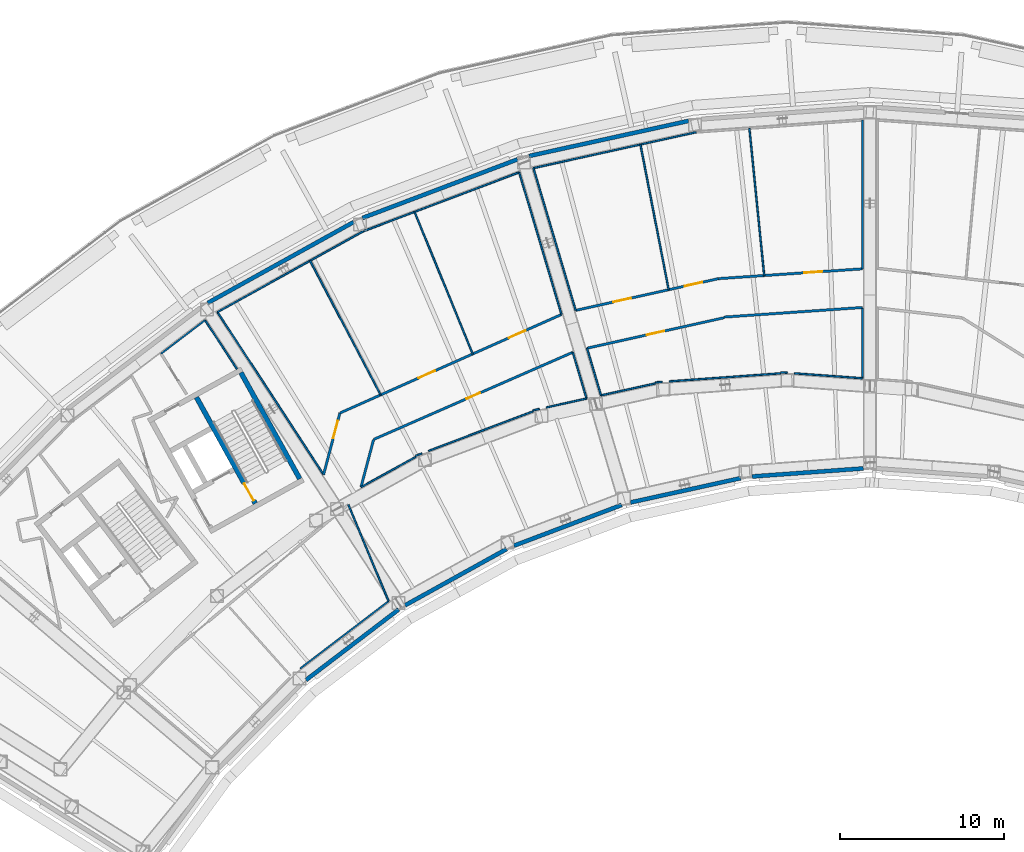
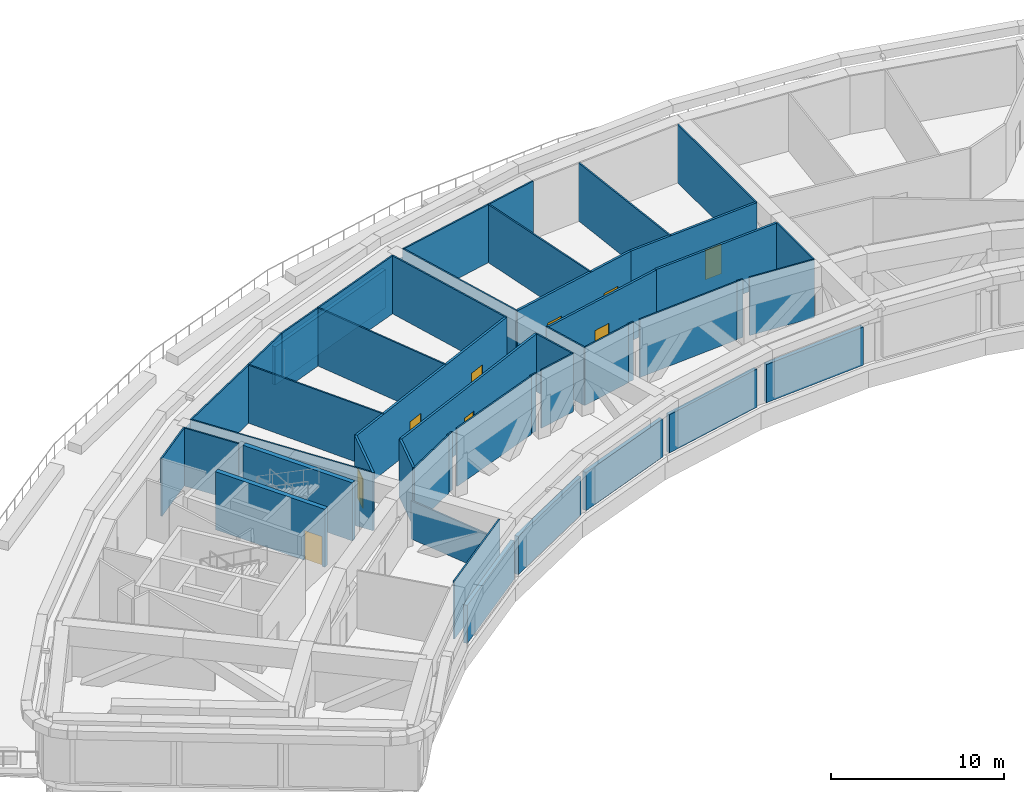
# One storey, part 8 of 24: 46 walls, 9 doors, 9 openings.
"""IFC4 building model written with IfcOpenShell, lengths in metres."""

from ifc_helpers import new_model, si_unit, direction, frame, frame_2d, origin, place, context, subcontext, project, spatial, rectangle, extrude, material, layer, layer_set, type_object, element, fill, save


model = new_model("IFC4")

# Units and contexts
model_context = context("Model", 3, precision=1e-05, world=origin(), true_north=direction((0.0, 1.0)))
body_context = subcontext(model_context, "Body", "Model", "MODEL_VIEW")
ifc_project = project(units=[si_unit("LENGTHUNIT", "METRE"), si_unit("AREAUNIT", "SQUARE_METRE"), si_unit("VOLUMEUNIT", "CUBIC_METRE"), si_unit("PLANEANGLEUNIT", "RADIAN"), si_unit("MASSUNIT", "GRAM", prefix="KILO")], contexts=[model_context])

# Site, building, storey
site_placement = place(None, origin())
site = spatial("IfcSite", under=ifc_project, at=site_placement, CompositionType="ELEMENT")
building_placement = place(site_placement, origin())
building = spatial("IfcBuilding", under=site, at=building_placement, Name="Tuul Gate Civic Tower", CompositionType="ELEMENT")
storey_placement = place(building_placement, frame((0.0, 0.0, 94.800048828125)))
storey = spatial("IfcBuildingStorey", under=building, at=storey_placement, Name="Plant and refuge floor 3", CompositionType="ELEMENT", Elevation=94.800048828125)

# Wall
ifc_material_1 = material(Name="Concrete C50/60", Category="concrete")
ifc_layer_1 = layer(ifc_material_1, 0.300048828125)
ifc_layer_set_1 = layer_set([ifc_layer_1], Name="Concrete C50/60")
wall_type_1 = type_object("IfcWallType", Name="Core wall C50/60", PredefinedType="SHEAR", material=ifc_layer_set_1)
wall_1_placement = place(storey_placement, frame((-24.91552734375, -8.6572265625, 0.0), z_axis=(0.0, 0.0, 1.0), x_axis=(-0.484777133038, 0.874637714304, 0.0)))
element("IfcWall", 1, at=wall_1_placement, inside=storey, type_object=wall_type_1, Name="Core wall", PredefinedType="SHEAR", context=body_context, shape_type="SweptSolid", body=[
    extrude(rectangle(XDim=7.400146484375, YDim=0.300048828125, at=frame_2d((3.7001953125, 0.0))), origin(), (0.0, 0.0, 1.0), 4.099853515625),
])

# Wall, opening, door
wall_2_placement = place(storey_placement, frame((-27.626953125, -10.16015625, 0.0), z_axis=(0.0, 0.0, 1.0), x_axis=(-0.484751894226, 0.874651702704, 0.0)))
wall_2 = element("IfcWall", 2, at=wall_2_placement, inside=storey, type_object=wall_type_1, Name="Core wall", PredefinedType="SHEAR", context=body_context, shape_type="SweptSolid", body=[
    extrude(rectangle(XDim=7.39990234375, YDim=0.300048828125, at=frame_2d((3.699951171875, 0.0))), origin(), (0.0, 0.0, 1.0), 4.099853515625),
])
opening_1_placement = place(wall_2_placement, frame((0.199951171875, 0.0, 0.0)))
opening_1 = element("IfcOpeningElement", 3, at=opening_1_placement, cuts=wall_2, Name="Opening SD-ST-2", PredefinedType="OPENING", context=body_context, shape_type="SweptSolid", body=[
    extrude(rectangle(XDim=1.199951171875, YDim=2.10009765625, at=frame_2d((0.60009765625, 1.050048828125))), frame((0.0, 0.16015625, 0.0), z_axis=(0.0, -1.0, 0.0), x_axis=(1.0, 0.0, 0.0)), (0.0, 0.0, 1.0), 0.320068359375),
])
ifc_material_2 = material(Name="Steel", Category="steel")
door_type_1 = type_object("IfcDoorType", Name="Stair door", OperationType="NOTDEFINED", PredefinedType="DOOR", material=ifc_material_2)
door_1_placement = place(opening_1_placement, origin())
door_1 = element("IfcDoor", 4, at=door_1_placement, inside=storey, type_object=door_type_1, Name="Stair door ST-2", OperationType="SINGLE_SWING_LEFT", OverallHeight=2.10009765625, OverallWidth=1.199951171875, PredefinedType="DOOR", context=body_context, shape_type="SweptSolid", body=[
    extrude(rectangle(XDim=1.199951171875, YDim=2.10009765625, at=frame_2d((0.60009765625, 1.050048828125))), frame((0.0, 0.02490234375, 0.0), z_axis=(0.0, -1.0, 0.0), x_axis=(1.0, 0.0, 0.0)), (0.0, 0.0, 1.0), 0.050048828125),
])
fill(opening_1, door_1)

# Wall
ifc_material_3 = material(Name="Gypsum board partition")
ifc_layer_2 = layer(ifc_material_3, 0.14990234375)
ifc_layer_set_2 = layer_set([ifc_layer_2], Name="Gypsum board partition")
wall_type_2 = type_object("IfcWallType", Name="Corridor wall P150", PredefinedType="PARTITIONING", material=ifc_layer_set_2)
wall_3_placement = place(storey_placement, frame((0.935302734375, 1.2001953125, 0.0), z_axis=(0.0, 0.0, 1.0), x_axis=(0.997602929877, 0.069198224693, 0.0)))
element("IfcWall", 5, at=wall_3_placement, inside=storey, type_object=wall_type_2, Name="p025", PredefinedType="PARTITIONING", context=body_context, shape_type="SweptSolid", body=[
    extrude(rectangle(XDim=8.46044921875, YDim=0.14990234375, at=frame_2d((4.230224609375, 0.0))), origin(), (0.0, 0.0, 1.0), 4.099853515625),
])

# Wall, opening, door
wall_4_placement = place(storey_placement, frame((-7.41162109375, -0.697509765625, 0.0), z_axis=(0.0, 0.0, 1.0), x_axis=(0.976106370709, 0.217293242097, 0.0)))
wall_4 = element("IfcWall", 6, at=wall_4_placement, inside=storey, type_object=wall_type_2, Name="p030", PredefinedType="PARTITIONING", context=body_context, shape_type="SweptSolid", body=[
    extrude(rectangle(XDim=8.55029296875, YDim=0.14990234375, at=frame_2d((4.275146484375, 0.0))), origin(), (0.0, 0.0, 1.0), 4.099853515625),
])
opening_2_placement = place(wall_4_placement, frame((3.72509765625, 0.0, 0.0)))
opening_2 = element("IfcOpeningElement", 7, at=opening_2_placement, cuts=wall_4, Name="Opening PA-D12", PredefinedType="OPENING", context=body_context, shape_type="SweptSolid", body=[
    extrude(rectangle(XDim=1.10009765625, YDim=2.10009765625, at=frame_2d((0.550048828125, 1.050048828125))), frame((0.0, 0.0849609375, 0.0), z_axis=(0.0, -1.0, 0.0), x_axis=(1.0, 0.0, 0.0)), (0.0, 0.0, 1.0), 0.169921875),
])
ifc_material_4 = material(Name="Timber door leaf", Category="wood")
door_type_2 = type_object("IfcDoorType", Name="Door D11", OperationType="NOTDEFINED", PredefinedType="DOOR", material=ifc_material_4)
door_2_placement = place(opening_2_placement, frame((1.10009765625, 0.0, 0.0), z_axis=(0.0, 0.0, 1.0), x_axis=(-1.0, 0.0, 0.0)))
door_2 = element("IfcDoor", 8, at=door_2_placement, inside=storey, type_object=door_type_2, Name="Door PA-D12", OperationType="SINGLE_SWING_LEFT", OverallHeight=2.10009765625, OverallWidth=1.10009765625, PredefinedType="DOOR", context=body_context, shape_type="SweptSolid", body=[
    extrude(rectangle(XDim=1.10009765625, YDim=2.10009765625, at=frame_2d((0.550048828125, 1.050048828125))), frame((0.0, 0.02490234375, 0.0), z_axis=(0.0, -1.0, 0.0), x_axis=(1.0, 0.0, 0.0)), (0.0, 0.0, 1.0), 0.050048828125),
])
fill(opening_2, door_2)

wall_5_placement = place(storey_placement, frame((0.592529296875, 3.54296875, 0.0), z_axis=(0.0, 0.0, 1.0), x_axis=(0.997685188998, 0.068001938609, 0.0)))
wall_5 = element("IfcWall", 9, at=wall_5_placement, inside=storey, type_object=wall_type_2, Name="p032", PredefinedType="PARTITIONING", context=body_context, shape_type="SweptSolid", body=[
    extrude(rectangle(XDim=8.806884765625, YDim=0.14990234375, at=frame_2d((4.4033203125, 0.0))), origin(), (0.0, 0.0, 1.0), 4.099853515625),
])
opening_3_placement = place(wall_5_placement, frame((5.25537109375, 0.0, 0.0)))
opening_3 = element("IfcOpeningElement", 10, at=opening_3_placement, cuts=wall_5, Name="Opening PA-D13", PredefinedType="OPENING", context=body_context, shape_type="SweptSolid", body=[
    extrude(rectangle(XDim=1.10009765625, YDim=2.10009765625, at=frame_2d((0.550048828125, 1.050048828125))), frame((0.0, 0.0849609375, 0.0), z_axis=(0.0, -1.0, 0.0), x_axis=(1.0, 0.0, 0.0)), (0.0, 0.0, 1.0), 0.169921875),
])
door_3_placement = place(opening_3_placement, origin())
door_3 = element("IfcDoor", 11, at=door_3_placement, inside=storey, type_object=door_type_2, Name="Door PA-D13", OperationType="SINGLE_SWING_RIGHT", OverallHeight=2.10009765625, OverallWidth=1.10009765625, PredefinedType="DOOR", context=body_context, shape_type="SweptSolid", body=[
    extrude(rectangle(XDim=1.10009765625, YDim=2.10009765625, at=frame_2d((0.550048828125, 1.050048828125))), frame((0.0, 0.02490234375, 0.0), z_axis=(0.0, -1.0, 0.0), x_axis=(1.0, 0.0, 0.0)), (0.0, 0.0, 1.0), 0.050048828125),
])
fill(opening_3, door_3)

# Wall, openings, doors
wall_6_placement = place(storey_placement, frame((-8.097900390625, 1.6083984375, 0.0), z_axis=(0.0, 0.0, 1.0), x_axis=(0.976106329019, 0.217293429373, 0.0)))
wall_6 = element("IfcWall", 12, at=wall_6_placement, inside=storey, type_object=wall_type_2, Name="p034", PredefinedType="PARTITIONING", context=body_context, shape_type="SweptSolid", body=[
    extrude(rectangle(XDim=8.90185546875, YDim=0.14990234375, at=frame_2d((4.450927734375, 0.0))), origin(), (0.0, 0.0, 1.0), 4.099853515625),
])
opening_4_placement = place(wall_6_placement, frame((6.802734375, 0.0, 0.0)))
opening_4 = element("IfcOpeningElement", 13, at=opening_4_placement, cuts=wall_6, Name="Opening PA-D141", PredefinedType="OPENING", context=body_context, shape_type="SweptSolid", body=[
    extrude(rectangle(XDim=1.10009765625, YDim=2.10009765625, at=frame_2d((0.550048828125, 1.050048828125))), frame((0.0, 0.0849609375, 0.0), z_axis=(0.0, -1.0, 0.0), x_axis=(1.0, 0.0, 0.0)), (0.0, 0.0, 1.0), 0.169921875),
])
opening_5_placement = place(wall_6_placement, frame((2.351806640625, 0.0, 0.0)))
opening_5 = element("IfcOpeningElement", 14, at=opening_5_placement, cuts=wall_6, Name="Opening PA-D15", PredefinedType="OPENING", context=body_context, shape_type="SweptSolid", body=[
    extrude(rectangle(XDim=1.10009765625, YDim=2.10009765625, at=frame_2d((0.550048828125, 1.050048828125))), frame((0.0, 0.0849609375, 0.0), z_axis=(0.0, -1.0, 0.0), x_axis=(1.0, 0.0, 0.0)), (0.0, 0.0, 1.0), 0.169921875),
])
door_4_placement = place(opening_4_placement, origin())
door_4 = element("IfcDoor", 15, at=door_4_placement, inside=storey, type_object=door_type_2, Name="Door PA-D14", OperationType="SINGLE_SWING_LEFT", OverallHeight=2.10009765625, OverallWidth=1.10009765625, PredefinedType="DOOR", context=body_context, shape_type="SweptSolid", body=[
    extrude(rectangle(XDim=1.10009765625, YDim=2.10009765625, at=frame_2d((0.550048828125, 1.050048828125))), frame((0.0, 0.02490234375, 0.0), z_axis=(0.0, -1.0, 0.0), x_axis=(1.0, 0.0, 0.0)), (0.0, 0.0, 1.0), 0.050048828125),
])
fill(opening_4, door_4)
door_5_placement = place(opening_5_placement, origin())
door_5 = element("IfcDoor", 16, at=door_5_placement, inside=storey, type_object=door_type_2, Name="Door PA-D15", OperationType="SINGLE_SWING_RIGHT", OverallHeight=2.10009765625, OverallWidth=1.10009765625, PredefinedType="DOOR", context=body_context, shape_type="SweptSolid", body=[
    extrude(rectangle(XDim=1.10009765625, YDim=2.10009765625, at=frame_2d((0.550048828125, 1.050048828125))), frame((0.0, 0.02490234375, 0.0), z_axis=(0.0, -1.0, 0.0), x_axis=(1.0, 0.0, 0.0)), (0.0, 0.0, 1.0), 0.050048828125),
])
fill(opening_5, door_5)

# Wall, opening, door
wall_7_placement = place(storey_placement, frame((-20.40478515625, -6.25146484375, 0.0), z_axis=(0.0, 0.0, 1.0), x_axis=(0.916098914728, 0.400952339355, 0.0)))
wall_7 = element("IfcWall", 17, at=wall_7_placement, inside=storey, type_object=wall_type_2, Name="p035", PredefinedType="PARTITIONING", context=body_context, shape_type="SweptSolid", body=[
    extrude(rectangle(XDim=13.238037109375, YDim=0.14990234375, at=frame_2d((6.619140625, 0.0))), origin(), (0.0, 0.0, 1.0), 4.099853515625),
])
opening_6_placement = place(wall_7_placement, frame((6.169189453125, 0.0, 0.0)))
opening_6 = element("IfcOpeningElement", 18, at=opening_6_placement, cuts=wall_7, Name="Opening PA-D161", PredefinedType="OPENING", context=body_context, shape_type="SweptSolid", body=[
    extrude(rectangle(XDim=0.89990234375, YDim=2.10009765625, at=frame_2d((0.449951171875, 1.050048828125))), frame((0.0, 0.0849609375, 0.0), z_axis=(0.0, -1.0, 0.0), x_axis=(1.0, 0.0, 0.0)), (0.0, 0.0, 1.0), 0.169921875),
])
ifc_material_5 = material(Name="Timber door leaf", Category="wood")
door_type_3 = type_object("IfcDoorType", Name="Door D09", OperationType="NOTDEFINED", PredefinedType="DOOR", material=ifc_material_5)
door_6_placement = place(opening_6_placement, frame((0.89990234375, 0.0, 0.0), z_axis=(0.0, 0.0, 1.0), x_axis=(-1.0, 0.0, 0.0)))
door_6 = element("IfcDoor", 19, at=door_6_placement, inside=storey, type_object=door_type_3, Name="Door PA-D16", OperationType="SINGLE_SWING_LEFT", OverallHeight=2.10009765625, OverallWidth=0.89990234375, PredefinedType="DOOR", context=body_context, shape_type="SweptSolid", body=[
    extrude(rectangle(XDim=0.89990234375, YDim=2.10009765625, at=frame_2d((0.449951171875, 1.050048828125))), frame((0.0, 0.02490234375, 0.0), z_axis=(0.0, -1.0, 0.0), x_axis=(1.0, 0.0, 0.0)), (0.0, 0.0, 1.0), 0.050048828125),
])
fill(opening_6, door_6)

# Wall
wall_8_placement = place(storey_placement, frame((-21.186279296875, -9.168701171875, 0.0), z_axis=(0.0, 0.0, 1.0), x_axis=(0.256205327084, 0.966622382512, 0.0)))
element("IfcWall", 20, at=wall_8_placement, inside=storey, type_object=wall_type_2, Name="p036", PredefinedType="PARTITIONING", context=body_context, shape_type="SweptSolid", body=[
    extrude(rectangle(XDim=3.003662109375, YDim=0.14990234375, at=frame_2d((1.501953125, 0.0))), origin(), (0.0, 0.0, 1.0), 4.099853515625),
])

# Wall, openings, doors
wall_9_placement = place(storey_placement, frame((-22.469970703125, -4.64697265625, 0.0), z_axis=(0.0, 0.0, 1.0), x_axis=(0.913676651574, 0.406441848693, 0.0)))
wall_9 = element("IfcWall", 21, at=wall_9_placement, inside=storey, type_object=wall_type_2, Name="p038", PredefinedType="PARTITIONING", context=body_context, shape_type="SweptSolid", body=[
    extrude(rectangle(XDim=14.78271484375, YDim=0.14990234375, at=frame_2d((7.391357421875, 0.0))), origin(), (0.0, 0.0, 1.0), 4.099853515625),
])
opening_7_placement = place(wall_9_placement, frame((11.2705078125, 0.0, 0.0)))
opening_7 = element("IfcOpeningElement", 22, at=opening_7_placement, cuts=wall_9, Name="Opening PA-D17", PredefinedType="OPENING", context=body_context, shape_type="SweptSolid", body=[
    extrude(rectangle(XDim=1.10009765625, YDim=2.10009765625, at=frame_2d((0.550048828125, 1.050048828125))), frame((0.0, 0.0849609375, 0.0), z_axis=(0.0, -1.0, 0.0), x_axis=(1.0, 0.0, 0.0)), (0.0, 0.0, 1.0), 0.169921875),
])
opening_8_placement = place(wall_9_placement, frame((5.238037109375, 0.0, 0.0)))
opening_8 = element("IfcOpeningElement", 23, at=opening_8_placement, cuts=wall_9, Name="Opening PA-D18", PredefinedType="OPENING", context=body_context, shape_type="SweptSolid", body=[
    extrude(rectangle(XDim=1.10009765625, YDim=2.10009765625, at=frame_2d((0.550048828125, 1.050048828125))), frame((0.0, 0.0849609375, 0.0), z_axis=(0.0, -1.0, 0.0), x_axis=(1.0, 0.0, 0.0)), (0.0, 0.0, 1.0), 0.169921875),
])
door_7_placement = place(opening_7_placement, origin())
door_7 = element("IfcDoor", 24, at=door_7_placement, inside=storey, type_object=door_type_2, Name="Door PA-D17", OperationType="SINGLE_SWING_RIGHT", OverallHeight=2.10009765625, OverallWidth=1.10009765625, PredefinedType="DOOR", context=body_context, shape_type="SweptSolid", body=[
    extrude(rectangle(XDim=1.10009765625, YDim=2.10009765625, at=frame_2d((0.550048828125, 1.050048828125))), frame((0.0, 0.02490234375, 0.0), z_axis=(0.0, -1.0, 0.0), x_axis=(1.0, 0.0, 0.0)), (0.0, 0.0, 1.0), 0.050048828125),
])
fill(opening_7, door_7)
door_8_placement = place(opening_8_placement, origin())
door_8 = element("IfcDoor", 25, at=door_8_placement, inside=storey, type_object=door_type_2, Name="Door PA-D18", OperationType="SINGLE_SWING_RIGHT", OverallHeight=2.10009765625, OverallWidth=1.10009765625, PredefinedType="DOOR", context=body_context, shape_type="SweptSolid", body=[
    extrude(rectangle(XDim=1.10009765625, YDim=2.10009765625, at=frame_2d((0.550048828125, 1.050048828125))), frame((0.0, 0.02490234375, 0.0), z_axis=(0.0, -1.0, 0.0), x_axis=(1.0, 0.0, 0.0)), (0.0, 0.0, 1.0), 0.050048828125),
])
fill(opening_8, door_8)

# Wall, opening, door
wall_10_placement = place(storey_placement, frame((-23.46533203125, -8.39990234375, 0.0), z_axis=(0.0, 0.0, 1.0), x_axis=(0.256186448691, 0.966627386074, 0.0)))
wall_10 = element("IfcWall", 26, at=wall_10_placement, inside=storey, type_object=wall_type_2, Name="p040", PredefinedType="PARTITIONING", context=body_context, shape_type="SweptSolid", body=[
    extrude(rectangle(XDim=3.881591796875, YDim=0.14990234375, at=frame_2d((1.94091796875, 0.0))), origin(), (0.0, 0.0, 1.0), 4.099853515625),
])
opening_9_placement = place(wall_10_placement, frame((2.291015625, 0.0, 0.0)))
opening_9 = element("IfcOpeningElement", 27, at=opening_9_placement, cuts=wall_10, Name="Opening PA-D19", PredefinedType="OPENING", context=body_context, shape_type="SweptSolid", body=[
    extrude(rectangle(XDim=1.10009765625, YDim=2.10009765625, at=frame_2d((0.550048828125, 1.050048828125))), frame((0.0, 0.0849609375, 0.0), z_axis=(0.0, -1.0, 0.0), x_axis=(1.0, 0.0, 0.0)), (0.0, 0.0, 1.0), 0.169921875),
])
door_9_placement = place(opening_9_placement, origin())
door_9 = element("IfcDoor", 28, at=door_9_placement, inside=storey, type_object=door_type_2, Name="Door PA-D19", OperationType="SINGLE_SWING_RIGHT", OverallHeight=2.10009765625, OverallWidth=1.10009765625, PredefinedType="DOOR", context=body_context, shape_type="SweptSolid", body=[
    extrude(rectangle(XDim=1.10009765625, YDim=2.10009765625, at=frame_2d((0.550048828125, 1.050048828125))), frame((0.0, 0.02490234375, 0.0), z_axis=(0.0, -1.0, 0.0), x_axis=(1.0, 0.0, 0.0)), (0.0, 0.0, 1.0), 0.050048828125),
])
fill(opening_9, door_9)

# Walls
ifc_material_6 = material(Name="Precast concrete C40/50", Category="concrete")
ifc_layer_3 = layer(ifc_material_6, 0.25)
ifc_layer_set_3 = layer_set([ifc_layer_3], Name="Precast concrete C40/50")
wall_type_3 = type_object("IfcWallType", Name="External wall 2700 HIGH", PredefinedType="STANDARD", material=ifc_layer_set_3)
wall_11_placement = place(storey_placement, frame((-1.220947265625, 13.1591796875, 0.0), z_axis=(0.0, 0.0, 1.0), x_axis=(-0.976564201173, -0.215226301803, 0.0)))
element("IfcWall", 29, at=wall_11_placement, inside=storey, type_object=wall_type_3, Name="External wall", PredefinedType="STANDARD", context=body_context, shape_type="SweptSolid", body=[
    extrude(rectangle(XDim=9.95263671875, YDim=0.25, at=frame_2d((4.976318359375, 0.0))), origin(), (0.0, 0.0, 1.0), 2.699951171875),
])
wall_12_placement = place(storey_placement, frame((-11.64794921875, 10.8125, 0.0), z_axis=(0.0, 0.0, 1.0), x_axis=(-0.935389335869, -0.35361955594, 0.0)))
element("IfcWall", 30, at=wall_12_placement, inside=storey, type_object=wall_type_3, Name="External wall", PredefinedType="STANDARD", context=body_context, shape_type="SweptSolid", body=[
    extrude(rectangle(XDim=10.102783203125, YDim=0.25, at=frame_2d((5.05126953125, 0.0))), origin(), (0.0, 0.0, 1.0), 2.699951171875),
])
wall_13_placement = place(storey_placement, frame((-21.635009765625, 6.99072265625, 0.0), z_axis=(0.0, 0.0, 1.0), x_axis=(-0.874604551877, -0.484836960055, 0.0)))
element("IfcWall", 31, at=wall_13_placement, inside=storey, type_object=wall_type_3, Name="External wall", PredefinedType="STANDARD", context=body_context, shape_type="SweptSolid", body=[
    extrude(rectangle(XDim=10.16162109375, YDim=0.25, at=frame_2d((5.080810546875, 0.0))), origin(), (0.0, 0.0, 1.0), 2.699951171875),
])
wall_14_placement = place(storey_placement, frame((-24.5380859375, -20.9208984375, 0.0), z_axis=(0.0, 0.0, 1.0), x_axis=(0.795585563535, 0.605841242484, 0.0)))
element("IfcWall", 32, at=wall_14_placement, inside=storey, type_object=wall_type_3, Name="External wall", PredefinedType="STANDARD", context=body_context, shape_type="SweptSolid", body=[
    extrude(rectangle(XDim=7.1025390625, YDim=0.25, at=frame_2d((3.55126953125, 0.0))), origin(), (0.0, 0.0, 1.0), 2.699951171875),
])
wall_15_placement = place(storey_placement, frame((-18.498046875, -16.3671875, 0.0), z_axis=(0.0, 0.0, 1.0), x_axis=(0.874628863521, 0.484793101328, 0.0)))
element("IfcWall", 33, at=wall_15_placement, inside=storey, type_object=wall_type_3, Name="External wall", PredefinedType="STANDARD", context=body_context, shape_type="SweptSolid", body=[
    extrude(rectangle(XDim=7.075439453125, YDim=0.25, at=frame_2d((3.53759765625, 0.0))), origin(), (0.0, 0.0, 1.0), 2.699951171875),
])
wall_16_placement = place(storey_placement, frame((-11.85791015625, -12.73291015625, 0.0), z_axis=(0.0, 0.0, 1.0), x_axis=(0.935361585046, 0.353692953309, 0.0)))
element("IfcWall", 34, at=wall_16_placement, inside=storey, type_object=wall_type_3, Name="External wall", PredefinedType="STANDARD", context=body_context, shape_type="SweptSolid", body=[
    extrude(rectangle(XDim=7.014404296875, YDim=0.25, at=frame_2d((3.50732421875, 0.0))), origin(), (0.0, 0.0, 1.0), 2.699951171875),
])
wall_17_placement = place(storey_placement, frame((-4.757080078125, -10.09619140625, 0.0), z_axis=(0.0, 0.0, 1.0), x_axis=(0.976561146318, 0.215240162382, 0.0)))
element("IfcWall", 35, at=wall_17_placement, inside=storey, type_object=wall_type_3, Name="External wall", PredefinedType="STANDARD", context=body_context, shape_type="SweptSolid", body=[
    extrude(rectangle(XDim=6.867919921875, YDim=0.25, at=frame_2d((3.43408203125, 0.0))), origin(), (0.0, 0.0, 1.0), 2.699951171875),
])
wall_18_placement = place(storey_placement, frame((2.656982421875, -8.514404296875, 0.0), z_axis=(0.0, 0.0, 1.0), x_axis=(0.997395153804, 0.072131180277, 0.0)))
element("IfcWall", 36, at=wall_18_placement, inside=storey, type_object=wall_type_3, Name="External wall", PredefinedType="STANDARD", context=body_context, shape_type="SweptSolid", body=[
    extrude(rectangle(XDim=6.78955078125, YDim=0.25, at=frame_2d((3.394775390625, 0.0))), origin(), (0.0, 0.0, 1.0), 2.699951171875),
])
ifc_material_7 = material(Name="Gypsum board partition")
ifc_layer_4 = layer(ifc_material_7, 0.10009765625)
ifc_layer_set_4 = layer_set([ifc_layer_4], Name="Gypsum board partition")
wall_type_4 = type_object("IfcWallType", Name="Partition P100", PredefinedType="PARTITIONING", material=ifc_layer_set_4)
wall_19_placement = place(storey_placement, frame((2.486572265625, 12.703369140625, 0.0), z_axis=(0.0, 0.0, 1.0), x_axis=(0.100200837165, -0.994967231738, 0.0)))
element("IfcWall", 37, at=wall_19_placement, inside=storey, type_object=wall_type_4, Name="p031", PredefinedType="PARTITIONING", context=body_context, shape_type="SweptSolid", body=[
    extrude(rectangle(XDim=9.01513671875, YDim=0.10009765625, at=frame_2d((4.507568359375, 0.0))), origin(), (0.0, 0.0, 1.0), 4.099853515625),
])
wall_20_placement = place(storey_placement, frame((-4.1533203125, 11.7197265625, 0.0), z_axis=(0.0, 0.0, 1.0), x_axis=(0.190796455508, -0.981629620868, 0.0)))
element("IfcWall", 38, at=wall_20_placement, inside=storey, type_object=wall_type_4, Name="p033", PredefinedType="PARTITIONING", context=body_context, shape_type="SweptSolid", body=[
    extrude(rectangle(XDim=9.015869140625, YDim=0.10009765625, at=frame_2d((4.5078125, 0.0))), origin(), (0.0, 0.0, 1.0), 4.099853515625),
])
wall_21_placement = place(storey_placement, frame((-17.919189453125, 7.61279296875, 0.0), z_axis=(0.0, 0.0, 1.0), x_axis=(0.378654182894, -0.925538227075, 0.0)))
element("IfcWall", 39, at=wall_21_placement, inside=storey, type_object=wall_type_4, Name="p037", PredefinedType="PARTITIONING", context=body_context, shape_type="SweptSolid", body=[
    extrude(rectangle(XDim=9.356201171875, YDim=0.10009765625, at=frame_2d((4.67822265625, 0.0))), origin(), (0.0, 0.0, 1.0), 4.099853515625),
])
wall_22_placement = place(storey_placement, frame((-24.2880859375, 4.63330078125, 0.0), z_axis=(0.0, 0.0, 1.0), x_axis=(0.46562770513, -0.884980700476, 0.0)))
element("IfcWall", 40, at=wall_22_placement, inside=storey, type_object=wall_type_4, Name="p039", PredefinedType="PARTITIONING", context=body_context, shape_type="SweptSolid", body=[
    extrude(rectangle(XDim=9.238037109375, YDim=0.10009765625, at=frame_2d((4.619140625, 0.0))), origin(), (0.0, 0.0, 1.0), 4.099853515625),
])
wall_23_placement = place(storey_placement, frame((-33.369873046875, -1.0302734375, 0.0), z_axis=(0.0, 0.0, 1.0), x_axis=(0.795636050875, 0.605774937207, 0.0)))
element("IfcWall", 41, at=wall_23_placement, inside=storey, type_object=wall_type_4, Name="p055", PredefinedType="PARTITIONING", context=body_context, shape_type="SweptSolid", body=[
    extrude(rectangle(XDim=3.372802734375, YDim=0.10009765625, at=frame_2d((1.6865234375, 0.0))), origin(), (0.0, 0.0, 1.0), 4.099853515625),
])
wall_24_placement = place(storey_placement, frame((-30.686279296875, 1.012939453125, 0.0), z_axis=(0.0, 0.0, 1.0), x_axis=(0.546725212204, -0.83731209375, 0.0)))
element("IfcWall", 42, at=wall_24_placement, inside=storey, type_object=wall_type_4, Name="p056", PredefinedType="PARTITIONING", context=body_context, shape_type="SweptSolid", body=[
    extrude(rectangle(XDim=3.564697265625, YDim=0.10009765625, at=frame_2d((1.7822265625, 0.0))), origin(), (0.0, 0.0, 1.0), 4.099853515625),
])
wall_25_placement = place(storey_placement, frame((9.37890625, 1.736083984375, 0.0), z_axis=(0.0, 0.0, 1.0), x_axis=(0.0, -1.0, 0.0)))
element("IfcWall", 43, at=wall_25_placement, inside=storey, type_object=wall_type_4, Name="p086", PredefinedType="PARTITIONING", context=body_context, shape_type="SweptSolid", body=[
    extrude(rectangle(XDim=4.265380859375, YDim=0.10009765625, at=frame_2d((2.1328125, 0.0))), origin(), (0.0, 0.0, 1.0), 4.099853515625),
])
wall_26_placement = place(storey_placement, frame((9.37890625, -2.529296875, 0.0), z_axis=(0.0, 0.0, 1.0), x_axis=(-0.997379767272, 0.072343623333, 0.0)))
element("IfcWall", 44, at=wall_26_placement, inside=storey, type_object=wall_type_4, Name="p087", PredefinedType="PARTITIONING", context=body_context, shape_type="SweptSolid", body=[
    extrude(rectangle(XDim=4.1611328125, YDim=0.10009765625, at=frame_2d((2.08056640625, 0.0))), origin(), (0.0, 0.0, 1.0), 4.099853515625),
])
wall_27_placement = place(storey_placement, frame((4.80810546875, -2.19775390625, 0.0), z_axis=(0.0, 0.0, 1.0), x_axis=(-0.99736889202, 0.072493401296, 0.0)))
element("IfcWall", 45, at=wall_27_placement, inside=storey, type_object=wall_type_4, Name="p088", PredefinedType="PARTITIONING", context=body_context, shape_type="SweptSolid", body=[
    extrude(rectangle(XDim=0.417724609375, YDim=0.10009765625, at=frame_2d((0.208984375, 0.0))), origin(), (0.0, 0.0, 1.0), 4.099853515625),
])
wall_28_placement = place(storey_placement, frame((4.38720703125, -2.228271484375, 0.0), z_axis=(0.0, 0.0, 1.0), x_axis=(-0.997382099936, -0.072311456408, 0.0)))
element("IfcWall", 46, at=wall_28_placement, inside=storey, type_object=wall_type_4, Name="p089", PredefinedType="PARTITIONING", context=body_context, shape_type="SweptSolid", body=[
    extrude(rectangle(XDim=6.813232421875, YDim=0.10009765625, at=frame_2d((3.40673828125, 0.0))), origin(), (0.0, 0.0, 1.0), 4.099853515625),
])
wall_29_placement = place(storey_placement, frame((-2.8291015625, -2.75146484375, 0.0), z_axis=(0.0, 0.0, 1.0), x_axis=(-0.997365816959, -0.072535695779, 0.0)))
element("IfcWall", 47, at=wall_29_placement, inside=storey, type_object=wall_type_4, Name="p090", PredefinedType="PARTITIONING", context=body_context, shape_type="SweptSolid", body=[
    extrude(rectangle(XDim=0.41748046875, YDim=0.10009765625, at=frame_2d((0.208740234375, 0.0))), origin(), (0.0, 0.0, 1.0), 4.099853515625),
])
wall_30_placement = place(storey_placement, frame((-3.240966796875, -2.84228515625, 0.0), z_axis=(0.0, 0.0, 1.0), x_axis=(-0.976589802941, -0.215110103881, 0.0)))
element("IfcWall", 48, at=wall_30_placement, inside=storey, type_object=wall_type_4, Name="p091", PredefinedType="PARTITIONING", context=body_context, shape_type="SweptSolid", body=[
    extrude(rectangle(XDim=3.394775390625, YDim=0.10009765625, at=frame_2d((1.697265625, 0.0))), origin(), (0.0, 0.0, 1.0), 4.099853515625),
])
wall_31_placement = place(storey_placement, frame((-6.55615234375, -3.572509765625, 0.0), z_axis=(0.0, 0.0, 1.0), x_axis=(-0.285196627476, 0.958469031151, 0.0)))
element("IfcWall", 49, at=wall_31_placement, inside=storey, type_object=wall_type_4, Name="p092", PredefinedType="PARTITIONING", context=body_context, shape_type="SweptSolid", body=[
    extrude(rectangle(XDim=2.99951171875, YDim=0.10009765625, at=frame_2d((1.499755859375, 0.0))), origin(), (0.0, 0.0, 1.0), 4.099853515625),
])
wall_32_placement = place(storey_placement, frame((9.37890625, 13.2021484375, 0.0), z_axis=(0.0, 0.0, 1.0), x_axis=(0.0, -1.0, 0.0)))
element("IfcWall", 50, at=wall_32_placement, inside=storey, type_object=wall_type_4, Name="p094", PredefinedType="PARTITIONING", context=body_context, shape_type="SweptSolid", body=[
    extrude(rectangle(XDim=9.060302734375, YDim=0.10009765625, at=frame_2d((4.5302734375, 0.0))), origin(), (0.0, 0.0, 1.0), 4.099853515625),
])
wall_33_placement = place(storey_placement, frame((-10.6787109375, 10.28173828125, 0.0), z_axis=(0.0, 0.0, 1.0), x_axis=(0.976566047517, 0.215217924061, 0.0)))
element("IfcWall", 51, at=wall_33_placement, inside=storey, type_object=wall_type_4, Name="p095", PredefinedType="PARTITIONING", context=body_context, shape_type="SweptSolid", body=[
    extrude(rectangle(XDim=10.16064453125, YDim=0.10009765625, at=frame_2d((5.080322265625, 0.0))), origin(), (0.0, 0.0, 1.0), 4.099853515625),
])
wall_34_placement = place(storey_placement, frame((-8.097900390625, 1.6083984375, 0.0), z_axis=(0.0, 0.0, 1.0), x_axis=(-0.285198715336, 0.958468409897, 0.0)))
element("IfcWall", 52, at=wall_34_placement, inside=storey, type_object=wall_type_4, Name="p097", PredefinedType="PARTITIONING", context=body_context, shape_type="SweptSolid", body=[
    extrude(rectangle(XDim=9.049072265625, YDim=0.10009765625, at=frame_2d((4.5244140625, 0.0))), origin(), (0.0, 0.0, 1.0), 4.099853515625),
])
wall_35_placement = place(storey_placement, frame((-8.27734375, -0.943603515625, 0.0), z_axis=(0.0, 0.0, 1.0), x_axis=(0.285225493321, -0.958460441521, 0.0)))
element("IfcWall", 53, at=wall_35_placement, inside=storey, type_object=wall_type_4, Name="p099", PredefinedType="PARTITIONING", context=body_context, shape_type="SweptSolid", body=[
    extrude(rectangle(XDim=2.9453125, YDim=0.10009765625, at=frame_2d((1.47265625, 0.0))), origin(), (0.0, 0.0, 1.0), 4.099853515625),
])
wall_36_placement = place(storey_placement, frame((-7.437255859375, -3.7666015625, 0.0), z_axis=(0.0, 0.0, 1.0), x_axis=(-0.976575985575, -0.21517282449, 0.0)))
element("IfcWall", 54, at=wall_36_placement, inside=storey, type_object=wall_type_4, Name="p100", PredefinedType="PARTITIONING", context=body_context, shape_type="SweptSolid", body=[
    extrude(rectangle(XDim=2.515380859375, YDim=0.10009765625, at=frame_2d((1.2578125, 0.0))), origin(), (0.0, 0.0, 1.0), 4.099853515625),
])
wall_37_placement = place(storey_placement, frame((-10.3056640625, -4.398681640625, 0.0), z_axis=(0.0, 0.0, 1.0), x_axis=(-0.976693531719, -0.214638638408, 0.0)))
element("IfcWall", 55, at=wall_37_placement, inside=storey, type_object=wall_type_4, Name="p101", PredefinedType="PARTITIONING", context=body_context, shape_type="SweptSolid", body=[
    extrude(rectangle(XDim=0.41748046875, YDim=0.10009765625, at=frame_2d((0.208740234375, 0.0))), origin(), (0.0, 0.0, 1.0), 4.099853515625),
])
wall_38_placement = place(storey_placement, frame((-10.7001953125, -4.5478515625, 0.0), z_axis=(0.0, 0.0, 1.0), x_axis=(-0.935319589549, -0.35380399292, 0.0)))
element("IfcWall", 56, at=wall_38_placement, inside=storey, type_object=wall_type_4, Name="p102", PredefinedType="PARTITIONING", context=body_context, shape_type="SweptSolid", body=[
    extrude(rectangle(XDim=6.8134765625, YDim=0.10009765625, at=frame_2d((3.40673828125, 0.0))), origin(), (0.0, 0.0, 1.0), 4.099853515625),
])
wall_39_placement = place(storey_placement, frame((-17.4677734375, -7.107666015625, 0.0), z_axis=(0.0, 0.0, 1.0), x_axis=(-0.93529148989, -0.353878268532, 0.0)))
element("IfcWall", 57, at=wall_39_placement, inside=storey, type_object=wall_type_4, Name="p103", PredefinedType="PARTITIONING", context=body_context, shape_type="SweptSolid", body=[
    extrude(rectangle(XDim=0.41748046875, YDim=0.10009765625, at=frame_2d((0.208740234375, 0.0))), origin(), (0.0, 0.0, 1.0), 4.099853515625),
])
wall_40_placement = place(storey_placement, frame((-17.836669921875, -7.31201171875, 0.0), z_axis=(0.0, 0.0, 1.0), x_axis=(-0.874622955829, -0.484803759408, 0.0)))
element("IfcWall", 58, at=wall_40_placement, inside=storey, type_object=wall_type_4, Name="p104", PredefinedType="PARTITIONING", context=body_context, shape_type="SweptSolid", body=[
    extrude(rectangle(XDim=3.829833984375, YDim=0.10009765625, at=frame_2d((1.9150390625, 0.0))), origin(), (0.0, 0.0, 1.0), 4.099853515625),
])
wall_41_placement = place(storey_placement, frame((-21.04541015625, 6.4306640625, 0.0), z_axis=(0.0, 0.0, 1.0), x_axis=(0.935349004778, 0.35372622077, 0.0)))
element("IfcWall", 59, at=wall_41_placement, inside=storey, type_object=wall_type_4, Name="p105", PredefinedType="PARTITIONING", context=body_context, shape_type="SweptSolid", body=[
    extrude(rectangle(XDim=10.1611328125, YDim=0.10009765625, at=frame_2d((5.08056640625, 0.0))), origin(), (0.0, 0.0, 1.0), 4.099853515625),
])
wall_42_placement = place(storey_placement, frame((-11.541259765625, 10.02490234375, 0.0), z_axis=(0.0, 0.0, 1.0), x_axis=(0.285196290344, -0.958469131466, 0.0)))
element("IfcWall", 60, at=wall_42_placement, inside=storey, type_object=wall_type_4, Name="p106", PredefinedType="PARTITIONING", context=body_context, shape_type="SweptSolid", body=[
    extrude(rectangle(XDim=9.0390625, YDim=0.10009765625, at=frame_2d((4.51953125, 0.0))), origin(), (0.0, 0.0, 1.0), 4.099853515625),
])
wall_43_placement = place(storey_placement, frame((-29.9326171875, 1.5048828125, 0.0), z_axis=(0.0, 0.0, 1.0), x_axis=(0.874639655681, 0.484773630378, 0.0)))
element("IfcWall", 61, at=wall_43_placement, inside=storey, type_object=wall_type_4, Name="p107", PredefinedType="PARTITIONING", context=body_context, shape_type="SweptSolid", body=[
    extrude(rectangle(XDim=10.160888671875, YDim=0.10009765625, at=frame_2d((5.08056640625, 0.0))), origin(), (0.0, 0.0, 1.0), 4.099853515625),
])
wall_44_placement = place(storey_placement, frame((-23.46533203125, -8.39990234375, 0.0), z_axis=(0.0, 0.0, 1.0), x_axis=(-0.546720987045, 0.837314852564, 0.0)))
element("IfcWall", 62, at=wall_44_placement, inside=storey, type_object=wall_type_4, Name="p109", PredefinedType="PARTITIONING", context=body_context, shape_type="SweptSolid", body=[
    extrude(rectangle(XDim=11.829345703125, YDim=0.10009765625, at=frame_2d((5.91455078125, 0.0))), origin(), (0.0, 0.0, 1.0), 4.099853515625),
])
wall_45_placement = place(storey_placement, frame((-19.503662109375, -16.113525390625, 0.0), z_axis=(0.0, 0.0, 1.0), x_axis=(-0.795612611496, -0.605805721686, 0.0)))
element("IfcWall", 63, at=wall_45_placement, inside=storey, type_object=wall_type_4, Name="p112", PredefinedType="PARTITIONING", context=body_context, shape_type="SweptSolid", body=[
    extrude(rectangle(XDim=6.78369140625, YDim=0.10009765625, at=frame_2d((3.391845703125, 0.0))), origin(), (0.0, 0.0, 1.0), 4.099853515625),
])
ifc_material_8 = material(Name="Gypsum board partition")
ifc_layer_5 = layer(ifc_material_8, 0.10009765625)
ifc_layer_set_5 = layer_set([ifc_layer_5], Name="Gypsum board partition")
wall_type_5 = type_object("IfcWallType", Name="Partition P100 2700 HIGH", PredefinedType="PARTITIONING", material=ifc_layer_set_5)
wall_46_placement = place(storey_placement, frame((-21.959228515625, -10.231201171875, 0.0), z_axis=(0.0, 0.0, 1.0), x_axis=(0.385229925976, -0.922820624028, 0.0)))
element("IfcWall", 64, at=wall_46_placement, inside=storey, type_object=wall_type_5, Name="p111", PredefinedType="PARTITIONING", context=body_context, shape_type="SweptSolid", body=[
    extrude(rectangle(XDim=6.374267578125, YDim=0.10009765625, at=frame_2d((3.18701171875, 0.0))), origin(), (0.0, 0.0, 1.0), 2.699951171875),
])

save(model, "model.ifc")
